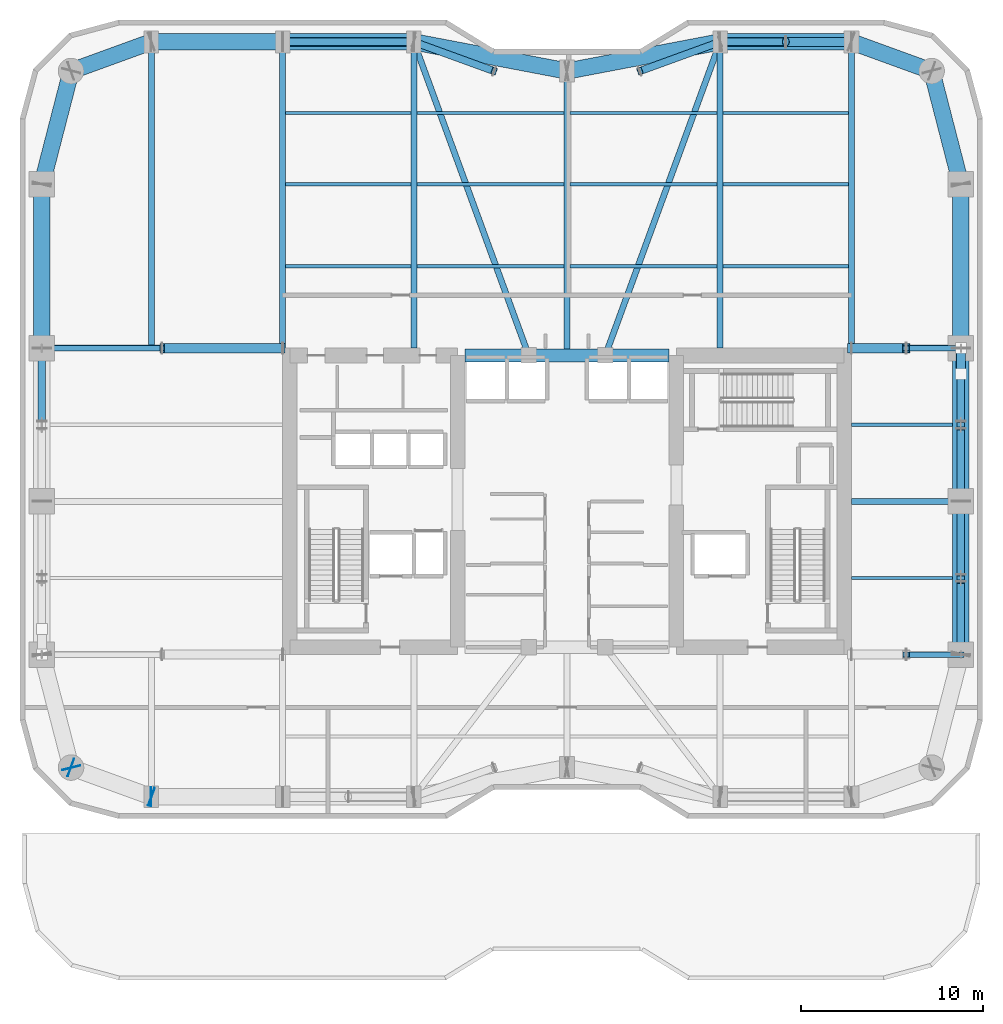
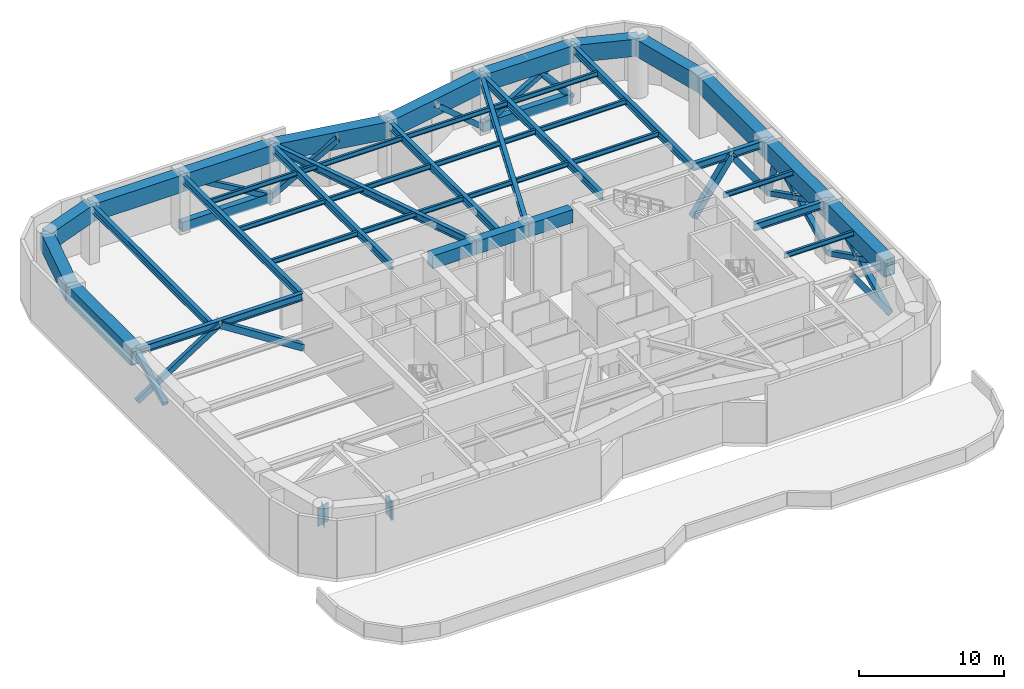
# One storey, part 2 of 16: 41 beams, 20 members, 4 plates.
"""IFC4 building model written with IfcOpenShell, lengths in metres."""

import ifcopenshell
import ifcopenshell.guid

model = None  # the IFC model being written
_history = None  # IfcOwnerHistory: only IFC2X3 demands one
_inside = {}  # id of a spatial element -> (the spatial element, [elements in it])
_under = {}  # id of a project, library or spatial element -> (it, [spatial elements below it])
_declared = {}  # id of a project -> (the project, [libraries it declares])
_typed = {}  # id of a type object -> (the type object, [elements of that type])
_made_of = {}  # id of a material, layer set ... -> (it, [elements and type objects made of it])


def new_model(schema):
    """Start an empty IFC model of exactly this schema.

    Asked for "IFC4X3", IfcOpenShell would pick the latest addendum, in which some entities
    have other attributes; the version numbers below select the first issue.
    IFC2X3 requires an IfcOwnerHistory on every rooted entity: one is made here for all.
    """
    global model, _history
    if schema == "IFC4X3":
        model = ifcopenshell.file(schema_version=(4, 3, 0, 0))
    else:
        model = ifcopenshell.file(schema=schema)
    _inside.clear()
    _under.clear()
    _declared.clear()
    _typed.clear()
    _made_of.clear()
    _history = None
    if model.schema == "IFC2X3":
        org = make("IfcOrganization", Name="unknown")
        user = make(
            "IfcPersonAndOrganization",
            ThePerson=make("IfcPerson", FamilyName="unknown"),
            TheOrganization=org,
        )
        app = make(
            "IfcApplication",
            ApplicationDeveloper=org,
            Version="unknown",
            ApplicationFullName="unknown",
            ApplicationIdentifier="unknown",
        )
        _history = make(
            "IfcOwnerHistory",
            OwningUser=user,
            OwningApplication=app,
            ChangeAction="ADDED",
            CreationDate=0,
        )
    return model


def make(cls, **values):
    """One entity of the class cls with the attributes given. An attribute that is None is left unset."""
    return model.create_entity(
        cls, **{name: value for name, value in values.items() if value is not None}
    )


def rooted(cls, **values):
    """An entity with a GlobalId (a new one), such as an element, a storey or a relation."""
    return make(cls, GlobalId=ifcopenshell.guid.new(), OwnerHistory=_history, **values)


def si_unit(unit_type, name, prefix=None):
    """IfcSIUnit, for example si_unit("LENGTHUNIT", "METRE", prefix="MILLI")."""
    return make("IfcSIUnit", UnitType=unit_type, Prefix=prefix, Name=name)


def assignment(units):
    """IfcUnitAssignment: the units of a project."""
    return None if units is None else make("IfcUnitAssignment", Units=units)


def point(xyz):
    """IfcCartesianPoint."""
    return None if xyz is None else make("IfcCartesianPoint", Coordinates=xyz)


def direction(xyz):
    """IfcDirection."""
    return None if xyz is None else make("IfcDirection", DirectionRatios=xyz)


def frame(location, z_axis=None, x_axis=None):
    """IfcAxis2Placement3D, a coordinate frame: its origin and axes. An axis left out is left unset."""
    return make(
        "IfcAxis2Placement3D",
        Location=point(location),
        Axis=direction(z_axis),
        RefDirection=direction(x_axis),
    )


def frame_2d(location, x_axis=None):
    """IfcAxis2Placement2D, a coordinate frame in the plane: its origin and x axis."""
    return make(
        "IfcAxis2Placement2D", Location=point(location), RefDirection=direction(x_axis)
    )


def origin():
    """The frame at (0, 0, 0) with its axes left unset."""
    return frame((0.0, 0.0, 0.0))


def origin_2d():
    """The frame at (0, 0) in the plane with its x axis left unset."""
    return frame_2d((0.0, 0.0))


def place(relative_to, where):
    """IfcLocalPlacement: puts the frame where relative to a parent placement (None: the world)."""
    return make(
        "IfcLocalPlacement", PlacementRelTo=relative_to, RelativePlacement=where
    )


def context(
    kind, dimensions, precision=None, world=None, true_north=None, identifier=None
):
    """IfcGeometricRepresentationContext, for example the 3D "Model" context."""
    return make(
        "IfcGeometricRepresentationContext",
        ContextIdentifier=identifier,
        ContextType=kind,
        CoordinateSpaceDimension=dimensions,
        Precision=precision,
        WorldCoordinateSystem=world,
        TrueNorth=true_north,
    )


def subcontext(parent, identifier, kind, view, scale=None):
    """IfcGeometricRepresentationSubContext, for example "Body" below "Model"."""
    return make(
        "IfcGeometricRepresentationSubContext",
        ContextIdentifier=identifier,
        ContextType=kind,
        ParentContext=parent,
        TargetScale=scale,
        TargetView=view,
    )


def project(units=None, contexts=None):
    """IfcProject with its units and contexts."""
    return rooted(
        "IfcProject",
        Name="project",
        RepresentationContexts=contexts,
        UnitsInContext=assignment(units),
    )


def spatial(cls, under=None, at=None, **own):
    """A site, building, storey or space (cls), placed at a placement, below another one or the project."""
    s = rooted(cls, ObjectPlacement=at, **own)
    if under is not None:
        _under.setdefault(under.id(), (under, []))[1].append(s)
    return s


def profile(cls, at=None, kind="AREA", **sizes):
    """A parametric profile (cls). Its sizes go by their IFC names, for example OverallWidth=200.0."""
    return make(cls, ProfileType=kind, Position=at, **sizes)


def rectangle(**sizes):
    """IfcRectangleProfileDef."""
    return profile("IfcRectangleProfileDef", **sizes)


def hollow_rectangle(**sizes):
    """IfcRectangleHollowProfileDef."""
    return profile("IfcRectangleHollowProfileDef", **sizes)


def hollow_circle(**sizes):
    """IfcCircleHollowProfileDef."""
    return profile("IfcCircleHollowProfileDef", **sizes)


def i_section(**sizes):
    """IfcIShapeProfileDef."""
    return profile("IfcIShapeProfileDef", **sizes)


def extrude(swept, where, along, depth):
    """IfcExtrudedAreaSolid: the profile swept, set in the frame where, extruded along a direction by depth."""
    return make(
        "IfcExtrudedAreaSolid",
        SweptArea=swept,
        Position=where,
        ExtrudedDirection=direction(along),
        Depth=depth,
    )


def shape(context_of_items, identifier, shape_type, items):
    """IfcShapeRepresentation: the items that make up one representation, for example the "Body"."""
    return make(
        "IfcShapeRepresentation",
        ContextOfItems=context_of_items,
        RepresentationIdentifier=identifier,
        RepresentationType=shape_type,
        Items=items,
    )


def material(Name=None, Category=None):
    """IfcMaterial."""
    return make("IfcMaterial", Name=Name, Category=Category)


def layer(
    of_material, thickness, ventilated=None, Name=None, Category=None, Priority=None
):
    """IfcMaterialLayer: one layer of a wall or slab, of a material (None: an air gap)."""
    return make(
        "IfcMaterialLayer",
        Material=of_material,
        LayerThickness=thickness,
        IsVentilated=ventilated,
        Name=Name,
        Category=Category,
        Priority=Priority,
    )


def layer_set(layers, Name=None):
    """IfcMaterialLayerSet."""
    return make("IfcMaterialLayerSet", MaterialLayers=layers, LayerSetName=Name)


def material_profile(
    of_material, cross_section, Name=None, Category=None, Priority=None
):
    """IfcMaterialProfile: a cross section and its material."""
    return make(
        "IfcMaterialProfile",
        Name=Name,
        Material=of_material,
        Profile=cross_section,
        Priority=Priority,
        Category=Category,
    )


def profile_set(profiles, Name=None, composite=None):
    """IfcMaterialProfileSet."""
    return make(
        "IfcMaterialProfileSet",
        Name=Name,
        MaterialProfiles=profiles,
        CompositeProfile=composite,
    )


def made_of(thing, what):
    """Note that an element or type object is made of a material, layer set ...; save() writes the relation."""
    if what is not None:
        _made_of.setdefault(what.id(), (what, []))[1].append(thing)
    return thing


def type_object(cls, material=None, **own):
    """A type object (cls), such as IfcWallType, which elements share."""
    return made_of(rooted(cls, **own), material)


def element(
    cls,
    number,
    at=None,
    inside=None,
    cuts=None,
    type_object=None,
    material=None,
    context=None,
    identifier="Body",
    shape_type=None,
    held_by="IfcProductDefinitionShape",
    body=None,
    shapes=None,
    **own,
):
    """One element of the class cls, such as IfcWall. Its Tag is "e" and its number.

    at: its placement. inside: the storey or other place that contains it. cuts: it is an
    opening in that element (IfcRelVoidsElement). A single representation is given by context,
    identifier, shape_type and body (its items); several are given by shapes. held_by: the class
    of the entity that holds the representations. save() writes the other relations.
    """
    e = rooted(cls, Tag="e%d" % number, ObjectPlacement=at, **own)
    if body is not None:
        shapes = [shape(context, identifier, shape_type, body)]
    if shapes is not None:
        e.Representation = make(held_by, Representations=shapes)
    if inside is not None:
        _inside.setdefault(inside.id(), (inside, []))[1].append(e)
    if cuts is not None:
        rooted(
            "IfcRelVoidsElement", RelatingBuildingElement=cuts, RelatedOpeningElement=e
        )
    if type_object is not None:
        _typed.setdefault(type_object.id(), (type_object, []))[1].append(e)
    return made_of(e, material)


def aggregate(whole, parts):
    """IfcRelAggregates: a whole, such as a stair, and the parts it consists of."""
    return rooted("IfcRelAggregates", RelatingObject=whole, RelatedObjects=parts)


def save(model, path):
    """Write the relations noted so far, then the file.

    IfcRelAggregates (storeys below a building ...), IfcRelContainedInSpatialStructure (elements
    in a storey), IfcRelDefinesByType, IfcRelAssociatesMaterial and IfcRelDeclares: one each for
    every whole, place, type object, material and project.
    """
    for whole, parts in _under.values():
        aggregate(whole, parts)
    for where, things in _inside.values():
        rooted(
            "IfcRelContainedInSpatialStructure",
            RelatedElements=things,
            RelatingStructure=where,
        )
    for kind, things in _typed.values():
        rooted("IfcRelDefinesByType", RelatedObjects=things, RelatingType=kind)
    for what, things in _made_of.values():
        rooted("IfcRelAssociatesMaterial", RelatedObjects=things, RelatingMaterial=what)
    for by, libraries in _declared.values():
        rooted("IfcRelDeclares", RelatingContext=by, RelatedDefinitions=libraries)
    model.write(path)


model = new_model("IFC4")

# Units and contexts
model_context = context("Model", 3, precision=1e-05, world=origin(), true_north=direction((0.0, 1.0)))
body_context = subcontext(model_context, "Body", "Model", "MODEL_VIEW")
ifc_project = project(units=[si_unit("LENGTHUNIT", "METRE"), si_unit("AREAUNIT", "SQUARE_METRE"), si_unit("VOLUMEUNIT", "CUBIC_METRE"), si_unit("PLANEANGLEUNIT", "RADIAN"), si_unit("MASSUNIT", "GRAM", prefix="KILO")], contexts=[model_context])

# Site, building, storey
site_placement = place(None, origin())
site = spatial("IfcSite", under=ifc_project, at=site_placement, CompositionType="ELEMENT")
building_placement = place(site_placement, origin())
building = spatial("IfcBuilding", under=site, at=building_placement, Name="Kiyonajd Concourse Tower", CompositionType="ELEMENT")
storey_placement = place(building_placement, frame((0.0, 0.0, 145.5)))
storey = spatial("IfcBuildingStorey", under=building, at=storey_placement, Name="L37", CompositionType="ELEMENT", Elevation=145.5)

# Beams
ifc_material_1 = material(Name="Concrete C70/85", Category="concrete")
ifc_material_profile_1 = material_profile(ifc_material_1, rectangle(XDim=0.699951171875, YDim=1.10009765625, at=origin_2d()), Name="RCBM-700x1100")
ifc_profile_set_1 = profile_set([ifc_material_profile_1], Name="Concrete C70/85")
beam_type_1 = type_object("IfcBeamType", Name="BM-COUP-1100", PredefinedType="LINTEL", material=ifc_profile_set_1)
beam_1_placement = place(storey_placement, frame((42.39990234375, 44.0, 4.330078125), z_axis=(1.0, 0.0, 0.0), x_axis=(0.0, 1.0, 0.0)))
element("IfcBeam", 1, at=beam_1_placement, inside=storey, type_object=beam_type_1, Name="L37 Core Coupling Beam N1", PredefinedType="LINTEL", context=body_context, shape_type="SweptSolid", body=[
    extrude(rectangle(XDim=0.699951171875, YDim=1.10009765625, at=origin_2d()), origin(), (0.0, 0.0, 1.0), 3.5),
])
beam_2_placement = place(storey_placement, frame((45.89990234375, 44.0, 4.330078125), z_axis=(1.0, 0.0, 0.0), x_axis=(0.0, 1.0, 0.0)))
element("IfcBeam", 2, at=beam_2_placement, inside=storey, type_object=beam_type_1, Name="L37 Core Coupling Beam N2", PredefinedType="LINTEL", context=body_context, shape_type="SweptSolid", body=[
    extrude(rectangle(XDim=0.699951171875, YDim=1.10009765625, at=origin_2d()), origin(), (0.0, 0.0, 1.0), 4.2001953125),
])
beam_3_placement = place(storey_placement, frame((50.10009765625, 44.0, 4.330078125), z_axis=(1.0, 0.0, 0.0), x_axis=(0.0, 1.0, 0.0)))
element("IfcBeam", 3, at=beam_3_placement, inside=storey, type_object=beam_type_1, Name="L37 Core Coupling Beam N3", PredefinedType="LINTEL", context=body_context, shape_type="SweptSolid", body=[
    extrude(rectangle(XDim=0.699951171875, YDim=1.10009765625, at=origin_2d()), origin(), (0.0, 0.0, 1.0), 3.5),
])
ifc_material_2 = material(Name="Steel ASTM A992 Grade 50", Category="steel")
ifc_material_profile_2 = material_profile(ifc_material_2, i_section(OverallWidth=0.180908203125, OverallDepth=0.4169921875, WebThickness=0.010986328125, FlangeThickness=0.018310546875, at=origin_2d()), Name="W410X85")
ifc_profile_set_2 = profile_set([ifc_material_profile_2], Name="Steel ASTM A992 Grade 50")
beam_type_2 = type_object("IfcBeamType", Name="BM-JST-410", PredefinedType="JOIST", material=ifc_profile_set_2)
beam_4_placement = place(storey_placement, frame((32.5634765625, 48.89990234375, 4.67138671875), z_axis=(1.0, 0.0, 0.0), x_axis=(0.0, 1.0, 0.0)))
element("IfcBeam", 4, at=beam_4_placement, inside=storey, type_object=beam_type_2, Name="L37 Secondary Floor Joist", PredefinedType="JOIST", context=body_context, shape_type="SweptSolid", body=[
    extrude(i_section(OverallWidth=0.180908203125, OverallDepth=0.4169921875, WebThickness=0.010986328125, FlangeThickness=0.018310546875, at=origin_2d()), origin(), (0.0, 0.0, 1.0), 6.873046875),
])
for number, where, z_axis, x_axis, name in (
    (5, (39.763427734375, 48.89990234375, 4.67138671875), (1.0, 0.0, 0.0), (0.0, 1.0, 0.0), "L37 Secondary Floor Joist"),
    (6, (48.16357421875, 48.89990234375, 4.67138671875), (1.0, 0.0, 0.0), (0.0, 1.0, 0.0), "L37 Secondary Floor Joist"),
):
    element("IfcBeam", number, at=place(storey_placement, frame(where, z_axis=z_axis, x_axis=x_axis)), inside=storey, type_object=beam_type_2, Name=name, PredefinedType="JOIST", context=body_context, shape_type="SweptSolid", body=[
        extrude(i_section(OverallWidth=0.180908203125, OverallDepth=0.4169921875, WebThickness=0.010986328125, FlangeThickness=0.018310546875, at=origin_2d()), origin(), (0.0, 0.0, 1.0), 8.072998046875),
    ])
for number, where, z_axis, x_axis, name in (
    (7, (56.5634765625, 48.89990234375, 4.67138671875), (1.0, 0.0, 0.0), (0.0, 1.0, 0.0), "L37 Secondary Floor Joist"),
    (8, (32.5634765625, 53.39990234375, 4.67138671875), (1.0, 0.0, 0.0), (0.0, 1.0, 0.0), "L37 Secondary Floor Joist"),
):
    element("IfcBeam", number, at=place(storey_placement, frame(where, z_axis=z_axis, x_axis=x_axis)), inside=storey, type_object=beam_type_2, Name=name, PredefinedType="JOIST", context=body_context, shape_type="SweptSolid", body=[
        extrude(i_section(OverallWidth=0.180908203125, OverallDepth=0.4169921875, WebThickness=0.010986328125, FlangeThickness=0.018310546875, at=origin_2d()), origin(), (0.0, 0.0, 1.0), 6.873046875),
    ])
for number, where, z_axis, x_axis, name in (
    (9, (39.763427734375, 53.39990234375, 4.67138671875), (1.0, 0.0, 0.0), (0.0, 1.0, 0.0), "L37 Secondary Floor Joist"),
    (10, (48.16357421875, 53.39990234375, 4.67138671875), (1.0, 0.0, 0.0), (0.0, 1.0, 0.0), "L37 Secondary Floor Joist"),
):
    element("IfcBeam", number, at=place(storey_placement, frame(where, z_axis=z_axis, x_axis=x_axis)), inside=storey, type_object=beam_type_2, Name=name, PredefinedType="JOIST", context=body_context, shape_type="SweptSolid", body=[
        extrude(i_section(OverallWidth=0.180908203125, OverallDepth=0.4169921875, WebThickness=0.010986328125, FlangeThickness=0.018310546875, at=origin_2d()), origin(), (0.0, 0.0, 1.0), 8.072998046875),
    ])
for number, where, z_axis, x_axis, name in (
    (11, (56.5634765625, 53.39990234375, 4.67138671875), (1.0, 0.0, 0.0), (0.0, 1.0, 0.0), "L37 Secondary Floor Joist"),
    (12, (32.5634765625, 57.300048828125, 4.67138671875), (1.0, 0.0, 0.0), (0.0, 1.0, 0.0), "L37 Secondary Floor Joist"),
):
    element("IfcBeam", number, at=place(storey_placement, frame(where, z_axis=z_axis, x_axis=x_axis)), inside=storey, type_object=beam_type_2, Name=name, PredefinedType="JOIST", context=body_context, shape_type="SweptSolid", body=[
        extrude(i_section(OverallWidth=0.180908203125, OverallDepth=0.4169921875, WebThickness=0.010986328125, FlangeThickness=0.018310546875, at=origin_2d()), origin(), (0.0, 0.0, 1.0), 6.873046875),
    ])
for number, where, z_axis, x_axis, name in (
    (13, (39.763427734375, 57.300048828125, 4.67138671875), (1.0, 0.0, 0.0), (0.0, 1.0, 0.0), "L37 Secondary Floor Joist"),
    (14, (48.16357421875, 57.300048828125, 4.67138671875), (1.0, 0.0, 0.0), (0.0, 1.0, 0.0), "L37 Secondary Floor Joist"),
):
    element("IfcBeam", number, at=place(storey_placement, frame(where, z_axis=z_axis, x_axis=x_axis)), inside=storey, type_object=beam_type_2, Name=name, PredefinedType="JOIST", context=body_context, shape_type="SweptSolid", body=[
        extrude(i_section(OverallWidth=0.180908203125, OverallDepth=0.4169921875, WebThickness=0.010986328125, FlangeThickness=0.018310546875, at=origin_2d()), origin(), (0.0, 0.0, 1.0), 8.072998046875),
    ])
beam_5_placement = place(storey_placement, frame((56.5634765625, 57.300048828125, 4.67138671875), z_axis=(1.0, 0.0, 0.0), x_axis=(0.0, 1.0, 0.0)))
element("IfcBeam", 15, at=beam_5_placement, inside=storey, type_object=beam_type_2, Name="L37 Secondary Floor Joist", PredefinedType="JOIST", context=body_context, shape_type="SweptSolid", body=[
    extrude(i_section(OverallWidth=0.180908203125, OverallDepth=0.4169921875, WebThickness=0.010986328125, FlangeThickness=0.018310546875, at=origin_2d()), origin(), (0.0, 0.0, 1.0), 6.873046875),
])
for number, where, z_axis, x_axis, name in (
    (16, (63.60009765625, 31.800048828125, 4.67138671875), (1.0, 0.0, 0.0), (0.0, 1.0, 0.0), "L37 East Secondary Floor Joist"),
    (17, (63.60009765625, 40.199951171875, 4.67138671875), (1.0, 0.0, 0.0), (0.0, 1.0, 0.0), "L37 East Secondary Floor Joist"),
):
    element("IfcBeam", number, at=place(storey_placement, frame(where, z_axis=z_axis, x_axis=x_axis)), inside=storey, type_object=beam_type_2, Name=name, PredefinedType="JOIST", context=body_context, shape_type="SweptSolid", body=[
        extrude(i_section(OverallWidth=0.180908203125, OverallDepth=0.4169921875, WebThickness=0.010986328125, FlangeThickness=0.018310546875, at=origin_2d()), origin(), (0.0, 0.0, 1.0), 5.5498046875),
    ])
ifc_material_profile_3 = material_profile(ifc_material_2, i_section(OverallWidth=0.326904296875, OverallDepth=0.6220703125, WebThickness=0.015380859375, FlangeThickness=0.0244140625, at=origin_2d()), Name="W610X195")
ifc_profile_set_3 = profile_set([ifc_material_profile_3], Name="Steel ASTM A992 Grade 50")
beam_type_3 = type_object("IfcBeamType", Name="BM-TWR-610A", PredefinedType="BEAM", material=ifc_profile_set_3)
for number, where, z_axis, x_axis, name in (
    (18, (39.60009765625, 61.199951171875, 4.569091796875), (0.343925269715, -0.938997022813, 0.0), (0.938997022813, 0.343925269715, 0.0), "L37 Core Tie Girder"),
    (19, (50.10009765625, 44.0, 4.569091796875), (0.343925269715, 0.938997022813, 0.0), (-0.938997022813, 0.343925269715, 0.0), "L37 Core Tie Girder"),
):
    element("IfcBeam", number, at=place(storey_placement, frame(where, z_axis=z_axis, x_axis=x_axis)), inside=storey, type_object=beam_type_3, Name=name, PredefinedType="BEAM", context=body_context, shape_type="SweptSolid", body=[
        extrude(i_section(OverallWidth=0.326904296875, OverallDepth=0.6220703125, WebThickness=0.015380859375, FlangeThickness=0.0244140625, at=origin_2d()), origin(), (0.0, 0.0, 1.0), 18.3173828125),
    ])
for number, where, z_axis, x_axis, name in (
    (20, (25.199951171875, 44.39990234375, 4.569091796875), (0.0, 1.0, 0.0), (-1.0, 0.0, 0.0), "L37 North Lease Girder"),
    (21, (32.39990234375, 44.39990234375, 4.569091796875), (0.0, 1.0, 0.0), (-1.0, 0.0, 0.0), "L37 North Lease Girder"),
    (22, (39.60009765625, 44.39990234375, 4.569091796875), (0.0, 1.0, 0.0), (-1.0, 0.0, 0.0), "L37 North Lease Girder"),
    (23, (56.39990234375, 44.39990234375, 4.569091796875), (0.0, 1.0, 0.0), (-1.0, 0.0, 0.0), "L37 North Lease Girder"),
    (24, (63.60009765625, 44.39990234375, 4.569091796875), (0.0, 1.0, 0.0), (-1.0, 0.0, 0.0), "L37 North Lease Girder"),
):
    element("IfcBeam", number, at=place(storey_placement, frame(where, z_axis=z_axis, x_axis=x_axis)), inside=storey, type_object=beam_type_3, Name=name, PredefinedType="BEAM", context=body_context, shape_type="SweptSolid", body=[
        extrude(i_section(OverallWidth=0.326904296875, OverallDepth=0.6220703125, WebThickness=0.015380859375, FlangeThickness=0.0244140625, at=origin_2d()), origin(), (0.0, 0.0, 1.0), 16.800048828125),
    ])
beam_6_placement = place(storey_placement, frame((48.0, 44.0, 4.569091796875), z_axis=(0.0, 1.0, 0.0), x_axis=(-1.0, 0.0, 0.0)))
element("IfcBeam", 25, at=beam_6_placement, inside=storey, type_object=beam_type_3, Name="L37 North Ribbon Girder", PredefinedType="BEAM", context=body_context, shape_type="SweptSolid", body=[
    extrude(i_section(OverallWidth=0.326904296875, OverallDepth=0.6220703125, WebThickness=0.015380859375, FlangeThickness=0.0244140625, at=origin_2d()), origin(), (0.0, 0.0, 1.0), 15.60009765625),
])
beam_7_placement = place(storey_placement, frame((63.60009765625, 36.0, 4.569091796875), z_axis=(1.0, 0.0, 0.0), x_axis=(0.0, 1.0, 0.0)))
element("IfcBeam", 26, at=beam_7_placement, inside=storey, type_object=beam_type_3, Name="L37 East Lease Girder", PredefinedType="BEAM", context=body_context, shape_type="SweptSolid", body=[
    extrude(i_section(OverallWidth=0.326904296875, OverallDepth=0.6220703125, WebThickness=0.015380859375, FlangeThickness=0.0244140625, at=origin_2d()), origin(), (0.0, 0.0, 1.0), 6.0),
])
beam_8_placement = place(storey_placement, frame((19.199951171875, 44.39990234375, 4.569091796875), z_axis=(1.0, 0.0, 0.0), x_axis=(0.0, 1.0, 0.0)))
element("IfcBeam", 27, at=beam_8_placement, inside=storey, type_object=beam_type_3, Name="L37 West Lease Girder", PredefinedType="BEAM", context=body_context, shape_type="SweptSolid", body=[
    extrude(i_section(OverallWidth=0.326904296875, OverallDepth=0.6220703125, WebThickness=0.015380859375, FlangeThickness=0.0244140625, at=origin_2d()), origin(), (0.0, 0.0, 1.0), 13.199951171875),
])
beam_9_placement = place(storey_placement, frame((63.60009765625, 44.39990234375, 4.569091796875), z_axis=(1.0, 0.0, 0.0), x_axis=(0.0, 1.0, 0.0)))
element("IfcBeam", 28, at=beam_9_placement, inside=storey, type_object=beam_type_3, Name="L37 East Lease Girder", PredefinedType="BEAM", context=body_context, shape_type="SweptSolid", body=[
    extrude(i_section(OverallWidth=0.326904296875, OverallDepth=0.6220703125, WebThickness=0.015380859375, FlangeThickness=0.0244140625, at=origin_2d()), origin(), (0.0, 0.0, 1.0), 6.0),
])
ifc_material_3 = material(Name="Steel ASTM A572 Grade 50", Category="steel")
ifc_material_profile_4 = material_profile(ifc_material_3, hollow_rectangle(XDim=0.89990234375, YDim=1.449951171875, WallThickness=0.074951171875, at=origin_2d()), Name="BOX-1450x900x75")
ifc_profile_set_4 = profile_set([ifc_material_profile_4], Name="Steel ASTM A572 Grade 50")
beam_type_4 = type_object("IfcBeamType", Name="BM-XFER-1800", PredefinedType="BEAM", material=ifc_profile_set_4)
for number, where, z_axis, x_axis, name in (
    (29, (69.60009765625, 27.60009765625, 4.155029296875), (0.0, 1.0, 0.0), (-1.0, 0.0, 0.0), "L37 Perimeter Bundled Tube Spandrel"),
    (30, (69.60009765625, 36.0, 4.155029296875), (0.0, 1.0, 0.0), (-1.0, 0.0, 0.0), "L37 Perimeter Bundled Tube Spandrel"),
):
    element("IfcBeam", number, at=place(storey_placement, frame(where, z_axis=z_axis, x_axis=x_axis)), inside=storey, type_object=beam_type_4, Name=name, PredefinedType="BEAM", context=body_context, shape_type="SweptSolid", body=[
        extrude(hollow_rectangle(XDim=0.89990234375, YDim=1.449951171875, WallThickness=0.074951171875, at=origin_2d()), origin(), (0.0, 0.0, 1.0), 8.39990234375),
    ])
beam_10_placement = place(storey_placement, frame((69.60009765625, 44.39990234375, 4.155029296875), z_axis=(0.0, 1.0, 0.0), x_axis=(-1.0, 0.0, 0.0)))
element("IfcBeam", 31, at=beam_10_placement, inside=storey, type_object=beam_type_4, Name="L37 Perimeter Bundled Tube Spandrel", PredefinedType="BEAM", context=body_context, shape_type="SweptSolid", body=[
    extrude(hollow_rectangle(XDim=0.89990234375, YDim=1.449951171875, WallThickness=0.074951171875, at=origin_2d()), origin(), (0.0, 0.0, 1.0), 9.0),
])
beam_11_placement = place(storey_placement, frame((69.60009765625, 53.39990234375, 4.155029296875), z_axis=(-0.249884937687, 0.968275538221, 0.0), x_axis=(-0.968275538221, -0.249884937687, 0.0)))
element("IfcBeam", 32, at=beam_11_placement, inside=storey, type_object=beam_type_4, Name="L37 Perimeter Bundled Tube Spandrel", PredefinedType="BEAM", context=body_context, shape_type="SweptSolid", body=[
    extrude(hollow_rectangle(XDim=0.89990234375, YDim=1.449951171875, WallThickness=0.074951171875, at=origin_2d()), origin(), (0.0, 0.0, 1.0), 6.4033203125),
])
beam_12_placement = place(storey_placement, frame((68.0, 59.60009765625, 4.155029296875), z_axis=(-0.939801036019, 0.341722127901, 0.0), x_axis=(-0.341722127901, -0.939801036019, 0.0)))
element("IfcBeam", 33, at=beam_12_placement, inside=storey, type_object=beam_type_4, Name="L37 Perimeter Bundled Tube Spandrel", PredefinedType="BEAM", context=body_context, shape_type="SweptSolid", body=[
    extrude(hollow_rectangle(XDim=0.89990234375, YDim=1.449951171875, WallThickness=0.074951171875, at=origin_2d()), origin(), (0.0, 0.0, 1.0), 4.681640625),
])
beam_13_placement = place(storey_placement, frame((63.60009765625, 61.199951171875, 4.155029296875), z_axis=(-1.0, 0.0, 0.0), x_axis=(0.0, -1.0, 0.0)))
element("IfcBeam", 34, at=beam_13_placement, inside=storey, type_object=beam_type_4, Name="L37 Perimeter Bundled Tube Spandrel", PredefinedType="BEAM", context=body_context, shape_type="SweptSolid", body=[
    extrude(hollow_rectangle(XDim=0.89990234375, YDim=1.449951171875, WallThickness=0.074951171875, at=origin_2d()), origin(), (0.0, 0.0, 1.0), 7.2001953125),
])
for number, where, z_axis, x_axis, name in (
    (35, (56.39990234375, 61.199951171875, 4.155029296875), (-0.982341315253, -0.187097675953, 0.0), (0.187097675953, -0.982341315253, 0.0), "L37 Perimeter Bundled Tube Spandrel"),
    (36, (48.0, 59.60009765625, 4.155029296875), (-0.982341315253, 0.187097675953, 0.0), (-0.187097675953, -0.982341315253, 0.0), "L37 Perimeter Bundled Tube Spandrel"),
):
    element("IfcBeam", number, at=place(storey_placement, frame(where, z_axis=z_axis, x_axis=x_axis)), inside=storey, type_object=beam_type_4, Name=name, PredefinedType="BEAM", context=body_context, shape_type="SweptSolid", body=[
        extrude(hollow_rectangle(XDim=0.89990234375, YDim=1.449951171875, WallThickness=0.074951171875, at=origin_2d()), origin(), (0.0, 0.0, 1.0), 8.55078125),
    ])
beam_14_placement = place(storey_placement, frame((39.60009765625, 61.199951171875, 4.155029296875), z_axis=(-1.0, 0.0, 0.0), x_axis=(0.0, -1.0, 0.0)))
element("IfcBeam", 37, at=beam_14_placement, inside=storey, type_object=beam_type_4, Name="L37 Perimeter Bundled Tube Spandrel", PredefinedType="BEAM", context=body_context, shape_type="SweptSolid", body=[
    extrude(hollow_rectangle(XDim=0.89990234375, YDim=1.449951171875, WallThickness=0.074951171875, at=origin_2d()), origin(), (0.0, 0.0, 1.0), 7.2001953125),
])
beam_15_placement = place(storey_placement, frame((32.39990234375, 61.199951171875, 4.155029296875), z_axis=(-1.0, 0.0, 0.0), x_axis=(0.0, -1.0, 0.0)))
element("IfcBeam", 38, at=beam_15_placement, inside=storey, type_object=beam_type_4, Name="L37 Perimeter Bundled Tube Spandrel", PredefinedType="BEAM", context=body_context, shape_type="SweptSolid", body=[
    extrude(hollow_rectangle(XDim=0.89990234375, YDim=1.449951171875, WallThickness=0.074951171875, at=origin_2d()), origin(), (0.0, 0.0, 1.0), 7.199951171875),
])
beam_16_placement = place(storey_placement, frame((25.199951171875, 61.199951171875, 4.155029296875), z_axis=(-0.939801036019, -0.341722127901, 0.0), x_axis=(0.341722127901, -0.939801036019, 0.0)))
element("IfcBeam", 39, at=beam_16_placement, inside=storey, type_object=beam_type_4, Name="L37 Perimeter Bundled Tube Spandrel", PredefinedType="BEAM", context=body_context, shape_type="SweptSolid", body=[
    extrude(hollow_rectangle(XDim=0.89990234375, YDim=1.449951171875, WallThickness=0.074951171875, at=origin_2d()), origin(), (0.0, 0.0, 1.0), 4.681640625),
])
beam_17_placement = place(storey_placement, frame((20.800048828125, 59.60009765625, 4.155029296875), z_axis=(-0.249884937687, -0.968275538221, 0.0), x_axis=(0.968275538221, -0.249884937687, 0.0)))
element("IfcBeam", 40, at=beam_17_placement, inside=storey, type_object=beam_type_4, Name="L37 Perimeter Bundled Tube Spandrel", PredefinedType="BEAM", context=body_context, shape_type="SweptSolid", body=[
    extrude(hollow_rectangle(XDim=0.89990234375, YDim=1.449951171875, WallThickness=0.074951171875, at=origin_2d()), origin(), (0.0, 0.0, 1.0), 6.4033203125),
])
beam_18_placement = place(storey_placement, frame((19.199951171875, 53.39990234375, 4.155029296875), z_axis=(0.0, -1.0, 0.0), x_axis=(1.0, 0.0, 0.0)))
element("IfcBeam", 41, at=beam_18_placement, inside=storey, type_object=beam_type_4, Name="L37 Perimeter Bundled Tube Spandrel", PredefinedType="BEAM", context=body_context, shape_type="SweptSolid", body=[
    extrude(hollow_rectangle(XDim=0.89990234375, YDim=1.449951171875, WallThickness=0.074951171875, at=origin_2d()), origin(), (0.0, 0.0, 1.0), 9.0),
])

# Members
ifc_material_profile_5 = material_profile(ifc_material_3, hollow_rectangle(XDim=0.5, YDim=0.800048828125, WallThickness=0.044921875, at=origin_2d()), Name="BOX-800x500x45")
ifc_profile_set_5 = profile_set([ifc_material_profile_5], Name="Steel ASTM A572 Grade 50")
member_type_1 = type_object("IfcMemberType", Name="MB-BT-CHORD", PredefinedType="CHORD", material=ifc_profile_set_5)
for number, where, z_axis, x_axis, name in (
    (42, (32.39990234375, 61.199951171875, 0.300048828125), (1.0, 0.0, 0.0), (0.0, 1.0, 0.0), "L37 Belt Truss Bottom Chord 03"),
    (43, (56.39990234375, 61.199951171875, 0.300048828125), (1.0, 0.0, 0.0), (0.0, 1.0, 0.0), "L37 Belt Truss Bottom Chord 04"),
):
    element("IfcMember", number, at=place(storey_placement, frame(where, z_axis=z_axis, x_axis=x_axis)), inside=storey, type_object=member_type_1, Name=name, PredefinedType="CHORD", context=body_context, shape_type="SweptSolid", body=[
        extrude(hollow_rectangle(XDim=0.5, YDim=0.800048828125, WallThickness=0.044921875, at=origin_2d()), origin(), (0.0, 0.0, 1.0), 7.2001953125),
    ])
ifc_material_4 = material(Name="Steel ASTM A500 Grade C", Category="steel")
ifc_material_profile_6 = material_profile(ifc_material_4, hollow_rectangle(XDim=0.39990234375, YDim=0.39990234375, WallThickness=0.02001953125, at=origin_2d()), Name="HSS-400x400x20")
ifc_profile_set_6 = profile_set([ifc_material_profile_6], Name="Steel ASTM A500 Grade C")
member_type_2 = type_object("IfcMemberType", Name="MB-BT-DIAG", PredefinedType="BRACE", material=ifc_profile_set_6)
member_1_placement = place(storey_placement, frame((32.39990234375, 61.199951171875, 4.530029296875), z_axis=(0.86221816933, 0.0, -0.506537094867), x_axis=(0.0, 1.0, 0.0)))
element("IfcMember", 44, at=member_1_placement, inside=storey, type_object=member_type_2, Name="L37 Outrigger and Belt Truss Member 13", PredefinedType="BRACE", context=body_context, shape_type="SweptSolid", body=[
    extrude(hollow_rectangle(XDim=0.39990234375, YDim=0.39990234375, WallThickness=0.02001953125, at=origin_2d()), origin(), (0.0, 0.0, 1.0), 8.350830078125),
])
for number, where, z_axis, x_axis, name in (
    (45, (39.60009765625, 61.199951171875, 0.300048828125), (0.697331487513, -0.253557498484, 0.67040091847), (0.341722127901, 0.939801036019, 0.0), "L37 Outrigger and Belt Truss Member 14"),
    (46, (52.0, 59.60009765625, 4.530029296875), (0.697331487513, 0.253557498484, -0.67040091847), (-0.341722127901, 0.939801036019, 0.0), "L37 Outrigger and Belt Truss Member 15"),
):
    element("IfcMember", number, at=place(storey_placement, frame(where, z_axis=z_axis, x_axis=x_axis)), inside=storey, type_object=member_type_2, Name=name, PredefinedType="BRACE", context=body_context, shape_type="SweptSolid", body=[
        extrude(hollow_rectangle(XDim=0.39990234375, YDim=0.39990234375, WallThickness=0.02001953125, at=origin_2d()), origin(), (0.0, 0.0, 1.0), 6.3095703125),
    ])
member_2_placement = place(storey_placement, frame((56.39990234375, 61.199951171875, 0.300048828125), z_axis=(0.86221816933, 0.0, 0.506537094867), x_axis=(0.0, 1.0, 0.0)))
element("IfcMember", 47, at=member_2_placement, inside=storey, type_object=member_type_2, Name="L37 Outrigger and Belt Truss Member 16", PredefinedType="BRACE", context=body_context, shape_type="SweptSolid", body=[
    extrude(hollow_rectangle(XDim=0.39990234375, YDim=0.39990234375, WallThickness=0.02001953125, at=origin_2d()), origin(), (0.0, 0.0, 1.0), 8.350830078125),
])
member_3_placement = place(storey_placement, frame((19.199951171875, 40.405517578125, 2.518310546875), z_axis=(0.0, 0.893124207776, 0.449810126036), x_axis=(-1.0, 0.0, 0.0)))
element("IfcMember", 48, at=member_3_placement, inside=storey, type_object=member_type_2, Name="L37 Belt Truss Split X Brace Upper W2", PredefinedType="BRACE", context=body_context, shape_type="SweptSolid", body=[
    extrude(hollow_rectangle(XDim=0.39990234375, YDim=0.39990234375, WallThickness=0.02001953125, at=origin_2d()), origin(), (0.0, 0.0, 1.0), 4.472412109375),
])
member_4_placement = place(storey_placement, frame((69.60009765625, 27.60009765625, 4.530029296875), z_axis=(0.0, 0.893146359282, -0.449766140235), x_axis=(-1.0, 0.0, 0.0)))
element("IfcMember", 49, at=member_4_placement, inside=storey, type_object=member_type_2, Name="L37 Belt Truss Continuous X Brace E1", PredefinedType="BRACE", context=body_context, shape_type="SweptSolid", body=[
    extrude(hollow_rectangle(XDim=0.39990234375, YDim=0.39990234375, WallThickness=0.02001953125, at=origin_2d()), origin(), (0.0, 0.0, 1.0), 9.40478515625),
])
member_5_placement = place(storey_placement, frame((69.60009765625, 27.60009765625, 0.300048828125), z_axis=(0.0, 0.893146137479, 0.449766580691), x_axis=(-1.0, 0.0, 0.0)))
element("IfcMember", 50, at=member_5_placement, inside=storey, type_object=member_type_2, Name="L37 Belt Truss Split X Brace Lower E1", PredefinedType="BRACE", context=body_context, shape_type="SweptSolid", body=[
    extrude(hollow_rectangle(XDim=0.39990234375, YDim=0.39990234375, WallThickness=0.02001953125, at=origin_2d()), origin(), (0.0, 0.0, 1.0), 4.47216796875),
])
member_6_placement = place(storey_placement, frame((69.60009765625, 32.00537109375, 2.518310546875), z_axis=(0.0, 0.893135251835, 0.449788196744), x_axis=(-1.0, 0.0, 0.0)))
element("IfcMember", 51, at=member_6_placement, inside=storey, type_object=member_type_2, Name="L37 Belt Truss Split X Brace Upper E1", PredefinedType="BRACE", context=body_context, shape_type="SweptSolid", body=[
    extrude(hollow_rectangle(XDim=0.39990234375, YDim=0.39990234375, WallThickness=0.02001953125, at=origin_2d()), origin(), (0.0, 0.0, 1.0), 4.47265625),
])
member_7_placement = place(storey_placement, frame((69.60009765625, 36.0, 4.530029296875), z_axis=(0.0, 0.893146359282, -0.449766140235), x_axis=(-1.0, 0.0, 0.0)))
element("IfcMember", 52, at=member_7_placement, inside=storey, type_object=member_type_2, Name="L37 Belt Truss Continuous X Brace E2", PredefinedType="BRACE", context=body_context, shape_type="SweptSolid", body=[
    extrude(hollow_rectangle(XDim=0.39990234375, YDim=0.39990234375, WallThickness=0.02001953125, at=origin_2d()), origin(), (0.0, 0.0, 1.0), 9.40478515625),
])
for number, where, z_axis, x_axis, name in (
    (53, (69.60009765625, 36.0, 0.300048828125), (0.0, 0.893157179671, 0.449744652445), (-1.0, 0.0, 0.0), "L37 Belt Truss Split X Brace Lower E2"),
    (54, (69.60009765625, 40.405517578125, 2.518310546875), (0.0, 0.893124207776, 0.449810126036), (-1.0, 0.0, 0.0), "L37 Belt Truss Split X Brace Upper E2"),
):
    element("IfcMember", number, at=place(storey_placement, frame(where, z_axis=z_axis, x_axis=x_axis)), inside=storey, type_object=member_type_2, Name=name, PredefinedType="BRACE", context=body_context, shape_type="SweptSolid", body=[
        extrude(hollow_rectangle(XDim=0.39990234375, YDim=0.39990234375, WallThickness=0.02001953125, at=origin_2d()), origin(), (0.0, 0.0, 1.0), 4.472412109375),
    ])
ifc_material_profile_7 = material_profile(ifc_material_4, hollow_rectangle(XDim=0.300048828125, YDim=0.449951171875, WallThickness=0.02197265625, at=origin_2d()), Name="HSS-450x300x22")
ifc_profile_set_7 = profile_set([ifc_material_profile_7], Name="Steel ASTM A500 Grade C")
member_type_3 = type_object("IfcMemberType", Name="MB-OT-DIAG", PredefinedType="BRACE", material=ifc_profile_set_7)
member_8_placement = place(storey_placement, frame((25.800048828125, 44.39990234375, 4.530029296875), z_axis=(-0.841928477143, 0.0, -0.539589139416), x_axis=(0.0, -1.0, 0.0)))
element("IfcMember", 55, at=member_8_placement, inside=storey, type_object=member_type_3, Name="L37 Outrigger and Belt Truss Member 04", PredefinedType="BRACE", context=body_context, shape_type="SweptSolid", body=[
    extrude(hollow_rectangle(XDim=0.300048828125, YDim=0.449951171875, WallThickness=0.02197265625, at=origin_2d()), origin(), (0.0, 0.0, 1.0), 7.83935546875),
])
for number, where, z_axis, x_axis, name in (
    (56, (66.60009765625, 27.60009765625, 4.530029296875), (0.57850054233, 0.0, -0.815681998406), (0.0, 1.0, 0.0), "L37 Outrigger and Belt Truss Member 06"),
    (57, (66.60009765625, 44.39990234375, 4.530029296875), (0.57850054233, 0.0, -0.815681998406), (0.0, 1.0, 0.0), "L37 Outrigger and Belt Truss Member 08"),
):
    element("IfcMember", number, at=place(storey_placement, frame(where, z_axis=z_axis, x_axis=x_axis)), inside=storey, type_object=member_type_3, Name=name, PredefinedType="BRACE", context=body_context, shape_type="SweptSolid", body=[
        extrude(hollow_rectangle(XDim=0.300048828125, YDim=0.449951171875, WallThickness=0.02197265625, at=origin_2d()), origin(), (0.0, 0.0, 1.0), 5.185791015625),
    ])
ifc_material_profile_8 = material_profile(ifc_material_3, hollow_rectangle(XDim=0.5, YDim=0.5, WallThickness=0.02490234375, at=origin_2d()), Name="HSS-500x500x25")
ifc_profile_set_8 = profile_set([ifc_material_profile_8], Name="Steel ASTM A572 Grade 50")
member_type_4 = type_object("IfcMemberType", Name="MB-OT-STRUT", PredefinedType="STRUT", material=ifc_profile_set_8)
member_9_placement = place(storey_placement, frame((32.39990234375, 44.39990234375, 0.300048828125), z_axis=(-0.841919409208, 0.0, 0.539603287979), x_axis=(0.0, -1.0, 0.0)))
element("IfcMember", 58, at=member_9_placement, inside=storey, type_object=member_type_4, Name="L37 Outrigger and Belt Truss Member 03", PredefinedType="STRUT", context=body_context, shape_type="SweptSolid", body=[
    extrude(hollow_rectangle(XDim=0.5, YDim=0.5, WallThickness=0.02490234375, at=origin_2d()), origin(), (0.0, 0.0, 1.0), 7.839111328125),
])
member_10_placement = place(storey_placement, frame((63.60009765625, 44.39990234375, 0.300048828125), z_axis=(0.57850054233, 0.0, 0.815681998406), x_axis=(0.0, 1.0, 0.0)))
element("IfcMember", 59, at=member_10_placement, inside=storey, type_object=member_type_4, Name="L37 Outrigger and Belt Truss Member 07", PredefinedType="STRUT", context=body_context, shape_type="SweptSolid", body=[
    extrude(hollow_rectangle(XDim=0.5, YDim=0.5, WallThickness=0.02490234375, at=origin_2d()), origin(), (0.0, 0.0, 1.0), 5.185791015625),
])
ifc_material_profile_9 = material_profile(ifc_material_4, hollow_circle(Radius=0.25390625, WallThickness=0.02197265625, at=origin_2d()), Name="CHS-508x22")
ifc_profile_set_9 = profile_set([ifc_material_profile_9], Name="Steel ASTM A500 Grade C")
member_type_5 = type_object("IfcMemberType", Name="MB-PB-MID", PredefinedType="BRACE", material=ifc_profile_set_9)
member_11_placement = place(storey_placement, frame((63.60009765625, 61.199951171875, 0.300048828125), z_axis=(-0.648130561025, 0.0, 0.761529235069), x_axis=(0.0, -1.0, 0.0)))
element("IfcMember", 60, at=member_11_placement, inside=storey, type_object=member_type_5, Name="L37 Upper Zone Hollow Tube Brace PBN", PredefinedType="BRACE", context=body_context, shape_type="SweptSolid", body=[
    extrude(hollow_circle(Radius=0.25390625, WallThickness=0.02197265625, at=origin_2d()), origin(), (0.0, 0.0, 1.0), 5.5546875),
])
member_12_placement = place(storey_placement, frame((69.60009765625, 44.39990234375, 0.300048828125), z_axis=(0.0, -0.314188699913, 0.949360553661), x_axis=(1.0, 0.0, 0.0)))
element("IfcMember", 61, at=member_12_placement, inside=storey, type_object=member_type_5, Name="L37 Upper Zone Hollow Tube Brace PBE", PredefinedType="BRACE", context=body_context, shape_type="SweptSolid", body=[
    extrude(hollow_circle(Radius=0.25390625, WallThickness=0.02197265625, at=origin_2d()), origin(), (0.0, 0.0, 1.0), 4.45556640625),
])

# Plates
ifc_layer = layer(ifc_material_3, 0.031982421875)
ifc_layer_set = layer_set([ifc_layer], Name="Steel ASTM A572 Grade 50")
plate_type = type_object("IfcPlateType", Name="PL-CAP-540", PredefinedType="USERDEFINED", material=ifc_layer_set)
for number, where, z_axis, x_axis, name in (
    (62, (20.802734375, 21.389404296875, 3.35986328125), (0.0, 0.0, 1.0), (0.249873048837, -0.968278606324, 0.0), "L37 Welded Box Girder End Cap"),
    (63, (20.789794921875, 21.40380859375, 3.35986328125), (0.0, 0.0, 1.0), (-0.939811951086, 0.341692107891, 0.0), "L37 Welded Box Girder End Cap"),
    (64, (25.210205078125, 19.796142578125, 3.35986328125), (0.0, 0.0, 1.0), (0.939811951086, -0.341692107891, 0.0), "L37 Welded Box Girder End Cap"),
    (65, (25.18896484375, 19.800048828125, 3.35986328125), (0.0, 0.0, 1.0), (-1.0, 0.0, 0.0), "L37 Welded Box Girder End Cap"),
):
    element("IfcPlate", number, at=place(storey_placement, frame(where, z_axis=z_axis, x_axis=x_axis)), inside=storey, type_object=plate_type, Name=name, ObjectType="CAP PLATE", PredefinedType="USERDEFINED", context=body_context, shape_type="SweptSolid", body=[
        extrude(rectangle(XDim=0.035888671875, YDim=1.02001953125, at=origin_2d()), origin(), (0.0, 0.0, 1.0), 1.590087890625),
    ])

save(model, "model.ifc")
